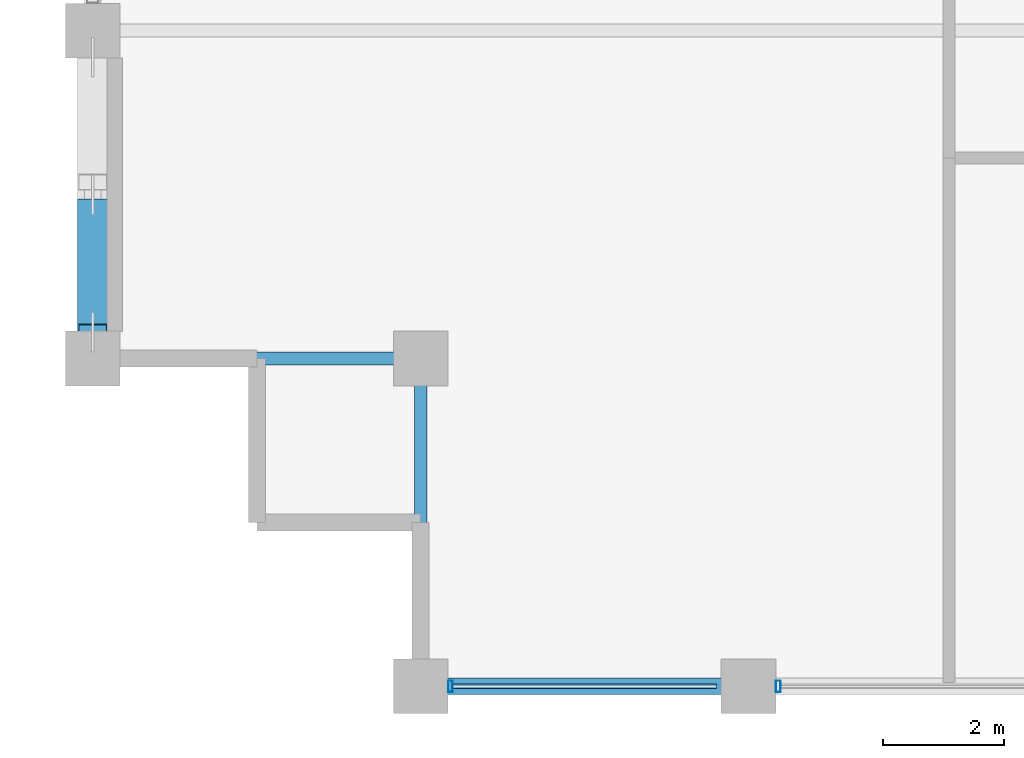
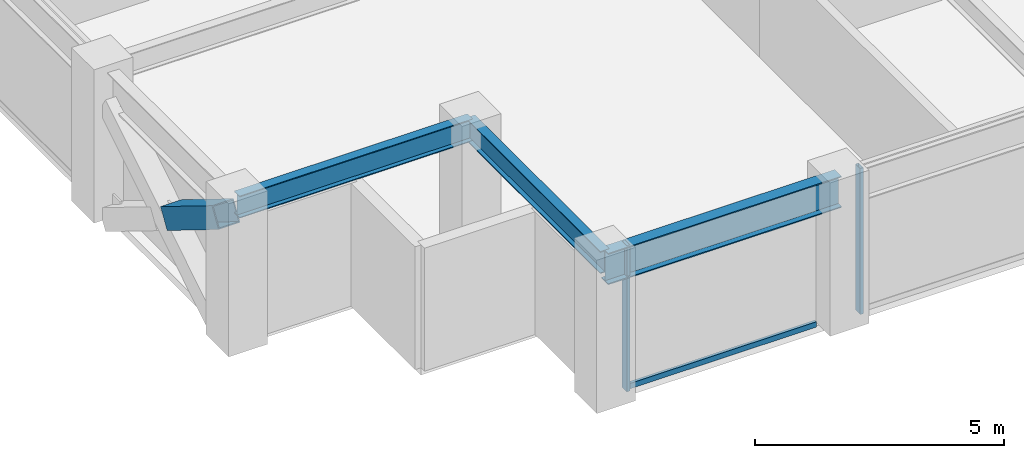
# One storey, part 2 of 31: 4 members, 3 beams, 1 element without a shape of its own.
"""IFC4 building model written with IfcOpenShell, lengths in metres."""

from ifc_helpers import new_model, si_unit, direction, frame, origin, origin_2d, place, context, subcontext, project, spatial, hollow_rectangle, i_section, extrude, material, layer, layer_set, material_profile, profile_set, type_object, element, aggregate, save


model = new_model("IFC4")

# Units and contexts
model_context = context("Model", 3, precision=1e-05, world=origin(), true_north=direction((0.0, 1.0)))
body_context = subcontext(model_context, "Body", "Model", "MODEL_VIEW")
ifc_project = project(units=[si_unit("LENGTHUNIT", "METRE"), si_unit("AREAUNIT", "SQUARE_METRE"), si_unit("VOLUMEUNIT", "CUBIC_METRE"), si_unit("PLANEANGLEUNIT", "RADIAN"), si_unit("MASSUNIT", "GRAM", prefix="KILO")], contexts=[model_context])

# Site, building, storey
site_placement = place(None, origin())
site = spatial("IfcSite", under=ifc_project, at=site_placement, CompositionType="ELEMENT")
building_placement = place(site_placement, origin())
building = spatial("IfcBuilding", under=site, at=building_placement, Name="Surkhivell Harbour Commons", CompositionType="ELEMENT")
storey_placement = place(building_placement, frame((0.0, 0.0, 193.5)))
storey = spatial("IfcBuildingStorey", under=building, at=storey_placement, Name="L50", CompositionType="ELEMENT", Elevation=193.5)

# Beams
ifc_material_1 = material(Name="Steel S355", Category="steel")
ifc_material_profile_1 = material_profile(ifc_material_1, i_section(OverallWidth=0.2119140625, OverallDepth=0.5439453125, WebThickness=0.0126953125, FlangeThickness=0.021240234375, at=origin_2d()), Name="UB533x210x122")
ifc_profile_set_1 = profile_set([ifc_material_profile_1], Name="Steel S355")
beam_type_1 = type_object("IfcBeamType", Name="BM-GRD-533A", PredefinedType="BEAM", material=ifc_profile_set_1)
beam_1_placement = place(storey_placement, frame((-27.0, -16.199951171875, 3.298095703125), z_axis=(1.0, 0.0, 0.0), x_axis=(0.0, 1.0, 0.0)))
element("IfcBeam", 1, at=beam_1_placement, inside=storey, type_object=beam_type_1, Name="L50 Floor Girder (-27.0,-16.2)", PredefinedType="BEAM", context=body_context, shape_type="SweptSolid", body=[
    extrude(i_section(OverallWidth=0.2119140625, OverallDepth=0.5439453125, WebThickness=0.0126953125, FlangeThickness=0.021240234375, at=origin_2d()), origin(), (0.0, 0.0, 1.0), 5.39990234375),
])
beam_2_placement = place(storey_placement, frame((-21.60009765625, -21.60009765625, 3.298095703125), z_axis=(0.0, 1.0, 0.0), x_axis=(-1.0, 0.0, 0.0)))
element("IfcBeam", 2, at=beam_2_placement, inside=storey, type_object=beam_type_1, Name="L50 Floor Girder (-21.6,-21.6)", PredefinedType="BEAM", context=body_context, shape_type="SweptSolid", body=[
    extrude(i_section(OverallWidth=0.2119140625, OverallDepth=0.5439453125, WebThickness=0.0126953125, FlangeThickness=0.021240234375, at=origin_2d()), origin(), (0.0, 0.0, 1.0), 5.400146484375),
])
ifc_material_profile_2 = material_profile(ifc_material_1, i_section(OverallWidth=0.26806640625, OverallDepth=0.77001953125, WebThickness=0.015625, FlangeThickness=0.025390625, at=origin_2d()), Name="UB762x267x197")
ifc_profile_set_2 = profile_set([ifc_material_profile_2], Name="Steel S355")
beam_type_2 = type_object("IfcBeamType", Name="BM-SPN-762", PredefinedType="SPANDREL", material=ifc_profile_set_2)
beam_3_placement = place(storey_placement, frame((-21.60009765625, -21.60009765625, 3.18505859375), z_axis=(1.0, 0.0, 0.0), x_axis=(0.0, 1.0, 0.0)))
element("IfcBeam", 3, at=beam_3_placement, inside=storey, type_object=beam_type_2, Name="L50 Tube Spandrel (-21.6,-21.6)", PredefinedType="SPANDREL", context=body_context, shape_type="SweptSolid", body=[
    extrude(i_section(OverallWidth=0.26806640625, OverallDepth=0.77001953125, WebThickness=0.015625, FlangeThickness=0.025390625, at=origin_2d()), origin(), (0.0, 0.0, 1.0), 5.400146484375),
])

# Curtain wall, members
ifc_material_2 = material(Name="Anodised pale-metal aluminium and insulated glazing", Category="aluminium")
ifc_layer = layer(ifc_material_2, 0.18994140625)
ifc_layer_set = layer_set([ifc_layer], Name="Anodised pale-metal aluminium and insulated glazing")
curtain_wall_type = type_object("IfcCurtainWallType", Name="CW-SYS-Z3", PredefinedType="NOTDEFINED", material=ifc_layer_set)
curtain_wall_placement = place(storey_placement, origin())
curtain_wall = element("IfcCurtainWall", 4, at=curtain_wall_placement, inside=storey, type_object=curtain_wall_type, Name="L50 Curtain Wall CW-L50-E00S1", PredefinedType="NOTDEFINED")
ifc_material_3 = material(Name="Anodised pale-metal aluminium alloy 6063-T6", Category="aluminium")
ifc_material_profile_3 = material_profile(ifc_material_3, hollow_rectangle(XDim=0.074951171875, YDim=0.18994140625, WallThickness=0.00390625, at=origin_2d()), Name="ALU-MULL-75x190")
ifc_profile_set_3 = profile_set([ifc_material_profile_3], Name="Anodised pale-metal aluminium alloy 6063-T6")
member_type_1 = type_object("IfcMemberType", Name="CWM-190", PredefinedType="MULLION", material=ifc_profile_set_3)
member_1_placement = place(storey_placement, frame((-21.110595703125, -21.60009765625, 0.0), z_axis=(0.0, 0.0, 1.0), x_axis=(1.0, 0.0, 0.0)))
member_1 = element("IfcMember", 5, at=member_1_placement, type_object=member_type_1, Name="CW-Z3 mullion 1", PredefinedType="MULLION", context=body_context, shape_type="SweptSolid", body=[
    extrude(hollow_rectangle(XDim=0.074951171875, YDim=0.18994140625, WallThickness=0.00390625, at=origin_2d()), origin(), (0.0, 0.0, 1.0), 3.570068359375),
])
member_2_placement = place(storey_placement, frame((-15.71044921875, -21.60009765625, 0.0), z_axis=(0.0, 0.0, 1.0), x_axis=(1.0, 0.0, 0.0)))
member_2 = element("IfcMember", 6, at=member_2_placement, type_object=member_type_1, Name="CW-Z3 mullion 2", PredefinedType="MULLION", context=body_context, shape_type="SweptSolid", body=[
    extrude(hollow_rectangle(XDim=0.074951171875, YDim=0.18994140625, WallThickness=0.00390625, at=origin_2d()), origin(), (0.0, 0.0, 1.0), 3.570068359375),
])
ifc_material_4 = material(Name="Champagne anodised aluminium alloy 6063-T6", Category="aluminium")
ifc_material_profile_4 = material_profile(ifc_material_4, hollow_rectangle(XDim=0.070068359375, YDim=0.1298828125, WallThickness=0.00341796875, at=origin_2d()), Name="ALU-TRAN-70x130")
ifc_profile_set_4 = profile_set([ifc_material_profile_4], Name="Champagne anodised aluminium alloy 6063-T6")
member_type_2 = type_object("IfcMemberType", Name="CWT-130", PredefinedType="USERDEFINED", material=ifc_profile_set_4)
member_3_placement = place(storey_placement, frame((-21.072998046875, -21.60009765625, 0.06494140625), z_axis=(1.0, 0.0, 0.0), x_axis=(0.0, 1.0, 0.0)))
member_3 = element("IfcMember", 7, at=member_3_placement, type_object=member_type_2, Name="CW-Z3 transom 1.1", ObjectType="TRANSOM", PredefinedType="USERDEFINED", context=body_context, shape_type="SweptSolid", body=[
    extrude(hollow_rectangle(XDim=0.070068359375, YDim=0.1298828125, WallThickness=0.00341796875, at=origin_2d()), origin(), (0.0, 0.0, 1.0), 4.345947265625),
])
aggregate(curtain_wall, [member_1, member_3, member_2])

# Member
ifc_material_5 = material(Name="Steel S460", Category="steel")
ifc_material_profile_5 = material_profile(ifc_material_5, hollow_rectangle(XDim=0.5, YDim=0.5, WallThickness=0.02490234375, at=origin_2d()), Name="SHS500x500x25")
ifc_profile_set_5 = profile_set([ifc_material_profile_5], Name="Steel S460")
member_type_3 = type_object("IfcMemberType", Name="MEM-BRC-SHS500", PredefinedType="BRACE", material=ifc_profile_set_5)
member_4_placement = place(storey_placement, frame((-27.0, -13.7041015625, 1.531982421875), z_axis=(0.0, -0.850958361341, 0.525233155146), x_axis=(1.0, 0.0, 0.0)))
element("IfcMember", 8, at=member_4_placement, inside=storey, type_object=member_type_3, Name="L50 Perimeter Mega-Brace MB- 12", PredefinedType="BRACE", context=body_context, shape_type="SweptSolid", body=[
    extrude(hollow_rectangle(XDim=0.5, YDim=0.5, WallThickness=0.02490234375, at=origin_2d()), origin(), (0.0, 0.0, 1.0), 2.421630859375),
])

save(model, "model.ifc")
